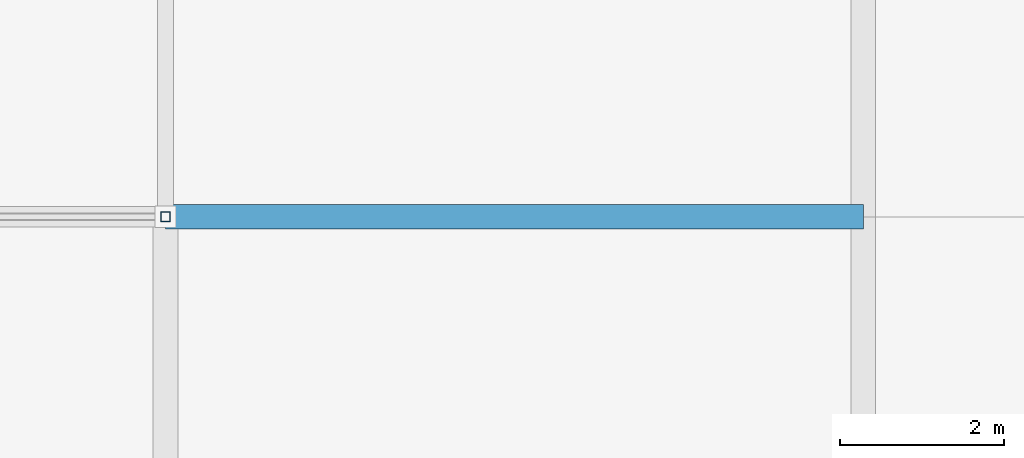
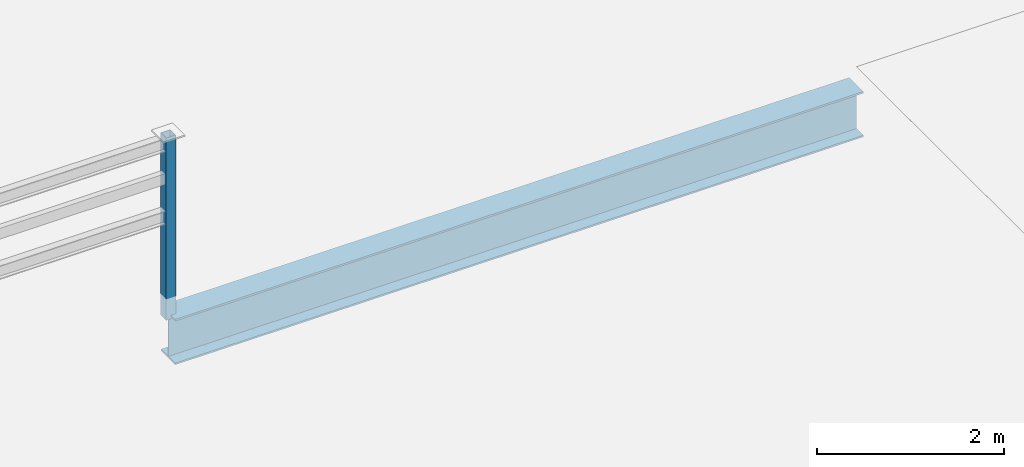
# One storey, part 11 of 66: 1 beam, 1 member.
"""IFC4 building model written with IfcOpenShell, lengths in metres."""

from ifc_helpers import new_model, si_unit, direction, frame, origin, origin_2d, place, context, subcontext, project, spatial, hollow_rectangle, i_section, extrude, material, material_profile, profile_set, type_object, element, save


model = new_model("IFC4")

# Units and contexts
model_context = context("Model", 3, precision=1e-05, world=origin(), true_north=direction((0.0, 1.0)))
body_context = subcontext(model_context, "Body", "Model", "MODEL_VIEW")
ifc_project = project(units=[si_unit("LENGTHUNIT", "METRE"), si_unit("AREAUNIT", "SQUARE_METRE"), si_unit("VOLUMEUNIT", "CUBIC_METRE"), si_unit("PLANEANGLEUNIT", "RADIAN"), si_unit("MASSUNIT", "GRAM", prefix="KILO")], contexts=[model_context])

# Site, building, storey
site_placement = place(None, origin())
site = spatial("IfcSite", under=ifc_project, at=site_placement, CompositionType="ELEMENT")
building_placement = place(site_placement, origin())
building = spatial("IfcBuilding", under=site, at=building_placement, Name="Solvikara Media Centre", CompositionType="ELEMENT")
storey_placement = place(building_placement, frame((0.0, 0.0, 19.800048828125)))
storey = spatial("IfcBuildingStorey", under=building, at=storey_placement, Name="L04", CompositionType="ELEMENT", Elevation=19.800048828125)

# Beam
ifc_material = material(Name="Steel S355JR", Category="steel")
ifc_material_profile_1 = material_profile(ifc_material, i_section(OverallWidth=0.302001953125, OverallDepth=0.593994140625, WebThickness=0.013916015625, FlangeThickness=0.02294921875, at=origin_2d()), Name="H 594x302x14x23")
ifc_profile_set_1 = profile_set([ifc_material_profile_1], Name="Steel S355JR")
beam_type = type_object("IfcBeamType", Name="BM-41", PredefinedType="BEAM", material=ifc_profile_set_1)
beam_placement = place(storey_placement, frame((17.0, 44.800048828125, -0.529052734375), z_axis=(1.0, 0.0, 0.0), x_axis=(0.0, 1.0, 0.0)))
element("IfcBeam", 1, at=beam_placement, inside=storey, type_object=beam_type, Name="B-L04-X1467", PredefinedType="BEAM", context=body_context, shape_type="SweptSolid", body=[
    extrude(i_section(OverallWidth=0.302001953125, OverallDepth=0.593994140625, WebThickness=0.013916015625, FlangeThickness=0.02294921875, at=origin_2d()), origin(), (0.0, 0.0, 1.0), 8.5),
])

# Member
ifc_material_profile_2 = material_profile(ifc_material, hollow_rectangle(XDim=0.1201171875, YDim=0.1201171875, WallThickness=0.006103515625, at=origin_2d()), Name="RHS 120x120x6")
ifc_profile_set_2 = profile_set([ifc_material_profile_2], Name="Steel S355JR")
member_type = type_object("IfcMemberType", Name="MB-24", PredefinedType="POST", material=ifc_profile_set_2)
member_placement = place(storey_placement, frame((17.0, 44.800048828125, -0.280029296875), z_axis=(0.0, 0.0, 1.0), x_axis=(1.0, 0.0, 0.0)))
element("IfcMember", 2, at=member_placement, inside=storey, type_object=member_type, Name="PS-POST-B1", PredefinedType="POST", context=body_context, shape_type="SweptSolid", body=[
    extrude(hollow_rectangle(XDim=0.1201171875, YDim=0.1201171875, WallThickness=0.006103515625, at=origin_2d()), origin(), (0.0, 0.0, 1.0), 2.3798828125),
])

save(model, "model.ifc")
